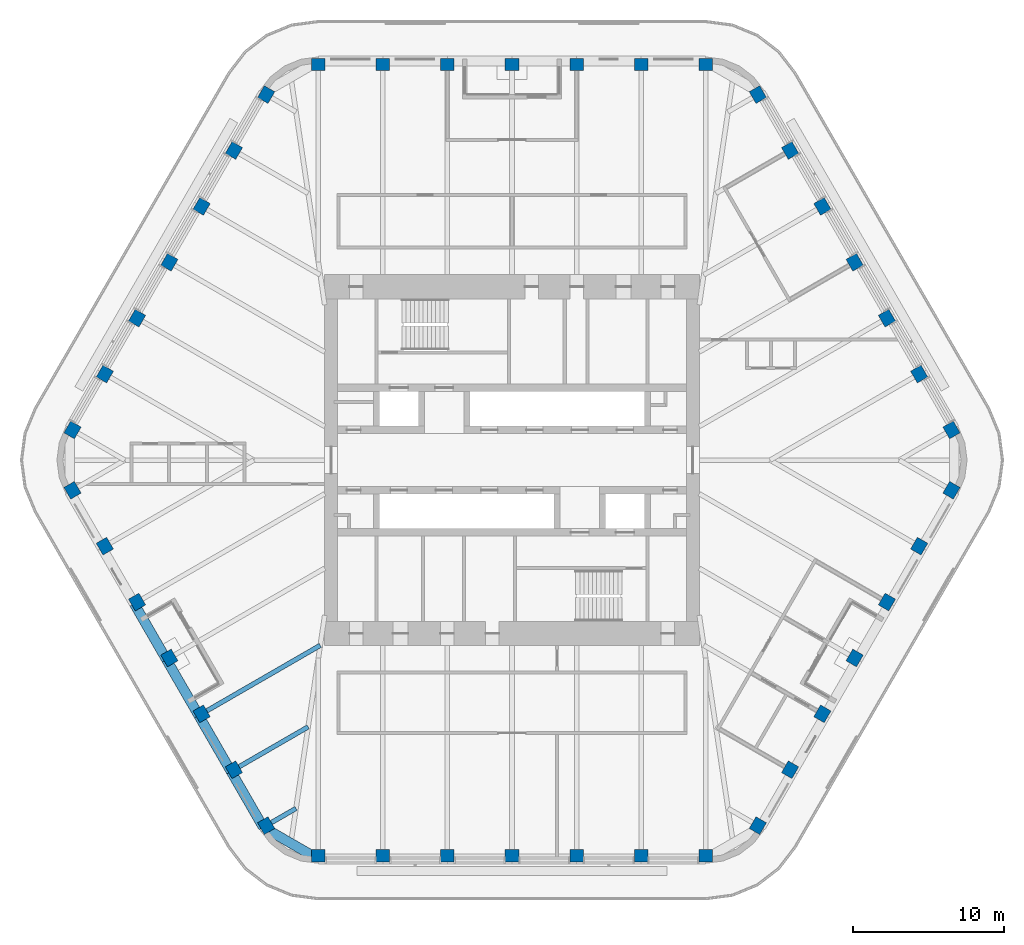
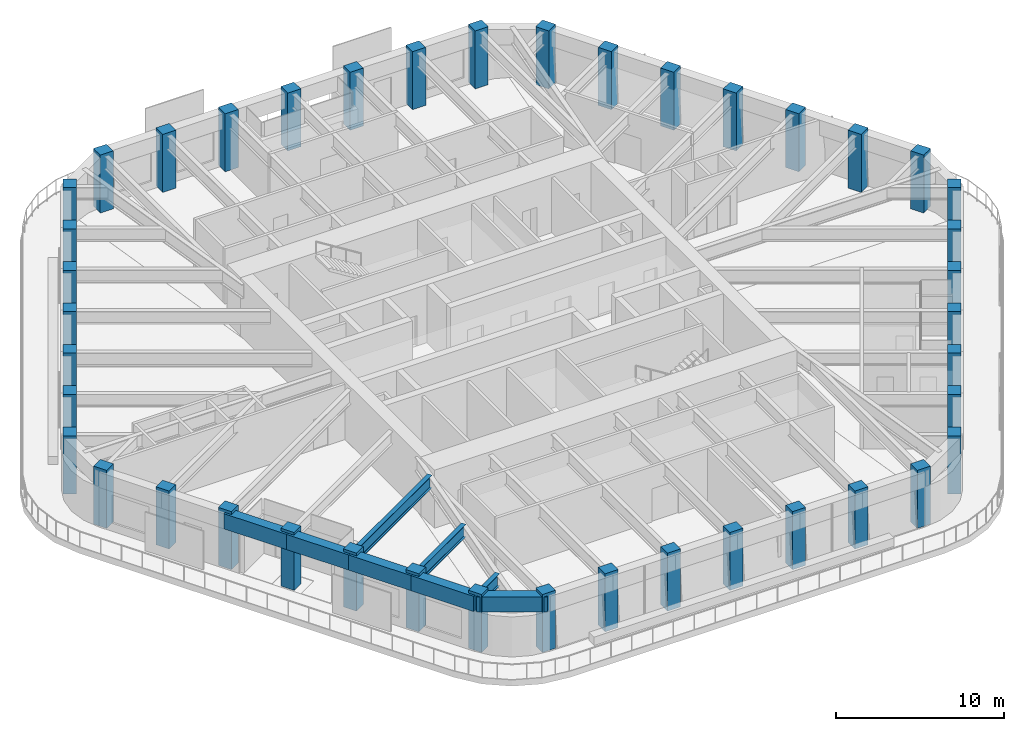
# One storey, part 1 of 19: 42 columns, 8 beams.
"""IFC4 building model written with IfcOpenShell, lengths in metres."""

from ifc_helpers import new_model, si_unit, direction, frame, origin, origin_2d, place, context, subcontext, project, spatial, rectangle, i_section, extrude, material, material_profile, profile_set, type_object, element, save


model = new_model("IFC4")

# Units and contexts
model_context = context("Model", 3, precision=1e-05, world=origin(), true_north=direction((0.0, 1.0)))
body_context = subcontext(model_context, "Body", "Model", "MODEL_VIEW")
ifc_project = project(units=[si_unit("LENGTHUNIT", "METRE"), si_unit("AREAUNIT", "SQUARE_METRE"), si_unit("VOLUMEUNIT", "CUBIC_METRE"), si_unit("PLANEANGLEUNIT", "RADIAN"), si_unit("MASSUNIT", "GRAM", prefix="KILO")], contexts=[model_context])

# Site, building, storey
site_placement = place(None, origin())
site = spatial("IfcSite", under=ifc_project, at=site_placement, CompositionType="ELEMENT")
building_placement = place(site_placement, origin())
building = spatial("IfcBuilding", under=site, at=building_placement, Name="Tarfa Lantern Tower", CompositionType="ELEMENT")
storey_placement = place(building_placement, frame((0.0, 0.0, 353.5)))
storey = spatial("IfcBuildingStorey", under=building, at=storey_placement, Name="L80", CompositionType="ELEMENT", Elevation=353.5)

# Columns
ifc_material_1 = material(Name="Concrete C80/95", Category="concrete")
ifc_material_profile_1 = material_profile(ifc_material_1, rectangle(XDim=0.89990234375, YDim=0.800048828125, at=origin_2d()), Name="RC 900x800")
ifc_profile_set_1 = profile_set([ifc_material_profile_1], Name="Concrete C80/95")
column_type = type_object("IfcColumnType", Name="TC15 RC 900x800", PredefinedType="COLUMN", material=ifc_profile_set_1)
for number, where, z_axis, x_axis, name in (
    (1, (29.15625, 2.0, 0.0), (0.0, 0.0, 1.0), (-0.5, 0.866025403784, 0.0), "Tube column NE0"),
    (2, (27.01513671875, 5.708251953125, 0.0), (0.0, 0.0, 1.0), (-0.5, 0.866025403784, 0.0), "Tube column NE1"),
    (3, (24.874267578125, 9.416748046875, 0.0), (0.0, 0.0, 1.0), (-0.5, 0.866025403784, 0.0), "Tube column NE2"),
    (4, (22.733154296875, 13.125, 0.0), (0.0, 0.0, 1.0), (-0.5, 0.866025403784, 0.0), "Tube column NE3"),
    (5, (20.592041015625, 16.833251953125, 0.0), (0.0, 0.0, 1.0), (-0.5, 0.866025403784, 0.0), "Tube column NE4"),
    (6, (18.451171875, 20.541748046875, 0.0), (0.0, 0.0, 1.0), (-0.5, 0.866025403784, 0.0), "Tube column NE5"),
    (7, (16.31005859375, 24.25, 0.0), (0.0, 0.0, 1.0), (-0.5, 0.866025403784, 0.0), "Tube column NE6"),
    (8, (12.845947265625, 26.25, 0.0), (0.0, 0.0, 1.0), (-1.0, 0.0, 0.0), "Tube column N0"),
    (9, (8.56396484375, 26.25, 0.0), (0.0, 0.0, 1.0), (-1.0, 0.0, 0.0), "Tube column N1"),
    (10, (4.281982421875, 26.25, 0.0), (0.0, 0.0, 1.0), (-1.0, 0.0, 0.0), "Tube column N2"),
    (11, (0.0, 26.25, 0.0), (0.0, 0.0, 1.0), (-1.0, 0.0, 0.0), "Tube column N3"),
    (12, (-4.281982421875, 26.25, 0.0), (0.0, 0.0, 1.0), (-1.0, 0.0, 0.0), "Tube column N4"),
    (13, (-8.56396484375, 26.25, 0.0), (0.0, 0.0, 1.0), (-1.0, 0.0, 0.0), "Tube column N5"),
    (14, (-12.845947265625, 26.25, 0.0), (0.0, 0.0, 1.0), (-1.0, 0.0, 0.0), "Tube column N6"),
    (15, (-16.31005859375, 24.25, 0.0), (0.0, 0.0, 1.0), (-0.5, -0.866025403784, 0.0), "Tube column NW0"),
    (16, (-18.451171875, 20.541748046875, 0.0), (0.0, 0.0, 1.0), (-0.5, -0.866025403784, 0.0), "Tube column NW1"),
    (17, (-20.592041015625, 16.833251953125, 0.0), (0.0, 0.0, 1.0), (-0.5, -0.866025403784, 0.0), "Tube column NW2"),
    (18, (-22.733154296875, 13.125, 0.0), (0.0, 0.0, 1.0), (-0.5, -0.866025403784, 0.0), "Tube column NW3"),
    (19, (-24.874267578125, 9.416748046875, 0.0), (0.0, 0.0, 1.0), (-0.5, -0.866025403784, 0.0), "Tube column NW4"),
    (20, (-27.01513671875, 5.708251953125, 0.0), (0.0, 0.0, 1.0), (-0.5, -0.866025403784, 0.0), "Tube column NW5"),
    (21, (-29.15625, 2.0, 0.0), (0.0, 0.0, 1.0), (-0.5, -0.866025403784, 0.0), "Tube column NW6"),
    (22, (-29.15625, -2.0, 0.0), (0.0, 0.0, 1.0), (0.5, -0.866025403784, 0.0), "Tube column SW0"),
    (23, (-27.01513671875, -5.708251953125, 0.0), (0.0, 0.0, 1.0), (0.5, -0.866025403784, 0.0), "Tube column SW1"),
    (24, (-24.874267578125, -9.416748046875, 0.0), (0.0, 0.0, 1.0), (0.5, -0.866025403784, 0.0), "Tube column SW2"),
    (25, (-22.733154296875, -13.125, 0.0), (0.0, 0.0, 1.0), (0.5, -0.866025403784, 0.0), "Tube column SW3"),
    (26, (-20.592041015625, -16.833251953125, 0.0), (0.0, 0.0, 1.0), (0.5, -0.866025403784, 0.0), "Tube column SW4"),
    (27, (-18.451171875, -20.541748046875, 0.0), (0.0, 0.0, 1.0), (0.5, -0.866025403784, 0.0), "Tube column SW5"),
    (28, (-16.31005859375, -24.25, 0.0), (0.0, 0.0, 1.0), (0.5, -0.866025403784, 0.0), "Tube column SW6"),
    (29, (-12.845947265625, -26.25, 0.0), (0.0, 0.0, 1.0), (1.0, 0.0, 0.0), "Tube column S0"),
    (30, (-8.56396484375, -26.25, 0.0), (0.0, 0.0, 1.0), (1.0, 0.0, 0.0), "Tube column S1"),
    (31, (-4.281982421875, -26.25, 0.0), (0.0, 0.0, 1.0), (1.0, 0.0, 0.0), "Tube column S2"),
    (32, (0.0, -26.25, 0.0), (0.0, 0.0, 1.0), (1.0, 0.0, 0.0), "Tube column S3"),
    (33, (4.281982421875, -26.25, 0.0), (0.0, 0.0, 1.0), (1.0, 0.0, 0.0), "Tube column S4"),
    (34, (8.56396484375, -26.25, 0.0), (0.0, 0.0, 1.0), (1.0, 0.0, 0.0), "Tube column S5"),
    (35, (12.845947265625, -26.25, 0.0), (0.0, 0.0, 1.0), (1.0, 0.0, 0.0), "Tube column S6"),
    (36, (16.31005859375, -24.25, 0.0), (0.0, 0.0, 1.0), (0.5, 0.866025403784, 0.0), "Tube column SE0"),
    (37, (18.451171875, -20.541748046875, 0.0), (0.0, 0.0, 1.0), (0.5, 0.866025403784, 0.0), "Tube column SE1"),
    (38, (20.592041015625, -16.833251953125, 0.0), (0.0, 0.0, 1.0), (0.5, 0.866025403784, 0.0), "Tube column SE2"),
    (39, (22.733154296875, -13.125, 0.0), (0.0, 0.0, 1.0), (0.5, 0.866025403784, 0.0), "Tube column SE3"),
    (40, (24.874267578125, -9.416748046875, 0.0), (0.0, 0.0, 1.0), (0.5, 0.866025403784, 0.0), "Tube column SE4"),
    (41, (27.01513671875, -5.708251953125, 0.0), (0.0, 0.0, 1.0), (0.5, 0.866025403784, 0.0), "Tube column SE5"),
    (42, (29.15625, -2.0, 0.0), (0.0, 0.0, 1.0), (0.5, 0.866025403784, 0.0), "Tube column SE6"),
):
    element("IfcColumn", number, at=place(storey_placement, frame(where, z_axis=z_axis, x_axis=x_axis)), inside=storey, type_object=column_type, Name=name, PredefinedType="COLUMN", context=body_context, shape_type="SweptSolid", body=[
        extrude(rectangle(XDim=0.89990234375, YDim=0.800048828125, at=origin_2d()), origin(), (0.0, 0.0, 1.0), 4.199951171875),
    ])

# Beams
ifc_material_profile_2 = material_profile(ifc_material_1, rectangle(XDim=0.64990234375, YDim=1.10009765625, at=origin_2d()), Name="RC 650x1100")
ifc_profile_set_2 = profile_set([ifc_material_profile_2], Name="Concrete C80/95")
beam_type_1 = type_object("IfcBeamType", Name="EB4 RC 650x1100", PredefinedType="SPANDREL", material=ifc_profile_set_2)
beam_1_placement = place(storey_placement, frame((-25.064697265625, -9.526611328125, 3.449951171875), z_axis=(0.500002112793, -0.866024183959, 0.0), x_axis=(0.866024183959, 0.500002112793, 0.0)))
element("IfcBeam", 43, at=beam_1_placement, inside=storey, type_object=beam_type_1, Name="Edge beam SW2", PredefinedType="SPANDREL", context=body_context, shape_type="SweptSolid", body=[
    extrude(rectangle(XDim=0.64990234375, YDim=1.10009765625, at=origin_2d()), origin(), (0.0, 0.0, 1.0), 4.2822265625),
])
for number, where, z_axis, x_axis, name in (
    (44, (-22.923583984375, -13.235107421875, 3.449951171875), (0.499984039138, -0.866034618596, 0.0), (0.866034618596, 0.499984039138, 0.0), "Edge beam SW3"),
    (45, (-20.78271484375, -16.943359375, 3.449951171875), (0.500026801138, -0.866009929587, 0.0), (0.866009929587, 0.500026801138, 0.0), "Edge beam SW4"),
    (46, (-18.6416015625, -20.651611328125, 3.449951171875), (0.499959351497, -0.866048870937, 0.0), (0.866048870937, 0.499959351497, 0.0), "Edge beam SW5"),
):
    element("IfcBeam", number, at=place(storey_placement, frame(where, z_axis=z_axis, x_axis=x_axis)), inside=storey, type_object=beam_type_1, Name=name, PredefinedType="SPANDREL", context=body_context, shape_type="SweptSolid", body=[
        extrude(rectangle(XDim=0.64990234375, YDim=1.10009765625, at=origin_2d()), origin(), (0.0, 0.0, 1.0), 4.281982421875),
    ])
beam_2_placement = place(storey_placement, frame((-16.500732421875, -24.360107421875, 3.449951171875), z_axis=(0.866048788483, -0.499959494327, 0.0), x_axis=(0.499959494327, 0.866048788483, 0.0)))
element("IfcBeam", 47, at=beam_2_placement, inside=storey, type_object=beam_type_1, Name="Edge beam SW6", PredefinedType="SPANDREL", context=body_context, shape_type="SweptSolid", body=[
    extrude(rectangle(XDim=0.64990234375, YDim=1.10009765625, at=origin_2d()), origin(), (0.0, 0.0, 1.0), 4.219970703125),
])
ifc_material_2 = material(Name="Steel S460M", Category="steel")
ifc_material_profile_3 = material_profile(ifc_material_2, i_section(OverallWidth=0.305419921875, OverallDepth=0.91845703125, WebThickness=0.017333984375, FlangeThickness=0.02783203125, FilletRadius=0.01904296875, at=origin_2d()), Name="UB914x305x253")
ifc_profile_set_3 = profile_set([ifc_material_profile_3], Name="Steel S460M")
beam_type_2 = type_object("IfcBeamType", Name="UB914x305x253", PredefinedType="BEAM", material=ifc_profile_set_3)
beam_3_placement = place(storey_placement, frame((-20.78271484375, -16.943359375, 3.540771484375), z_axis=(0.866021806508, 0.500006230613, 0.0), x_axis=(-0.500006230613, 0.866021806508, 0.0)))
element("IfcBeam", 48, at=beam_3_placement, inside=storey, type_object=beam_type_2, Name="Floor beam SW4", PredefinedType="BEAM", context=body_context, shape_type="SweptSolid", body=[
    extrude(i_section(OverallWidth=0.305419921875, OverallDepth=0.91845703125, WebThickness=0.017333984375, FlangeThickness=0.02783203125, FilletRadius=0.01904296875, at=origin_2d()), origin(), (0.0, 0.0, 1.0), 9.30908203125),
])
beam_4_placement = place(storey_placement, frame((-18.6416015625, -20.651611328125, 3.540771484375), z_axis=(0.866024549157, 0.500001480256, 0.0), x_axis=(-0.500001480256, 0.866024549157, 0.0)))
element("IfcBeam", 49, at=beam_4_placement, inside=storey, type_object=beam_type_2, Name="Floor beam SW5", PredefinedType="BEAM", context=body_context, shape_type="SweptSolid", body=[
    extrude(i_section(OverallWidth=0.305419921875, OverallDepth=0.91845703125, WebThickness=0.017333984375, FlangeThickness=0.02783203125, FilletRadius=0.01904296875, at=origin_2d()), origin(), (0.0, 0.0, 1.0), 5.90771484375),
])
beam_5_placement = place(storey_placement, frame((-16.500732421875, -24.360107421875, 3.540771484375), z_axis=(0.865992557167, 0.500056887695, 0.0), x_axis=(-0.500056887695, 0.865992557167, 0.0)))
element("IfcBeam", 50, at=beam_5_placement, inside=storey, type_object=beam_type_2, Name="Floor beam SW6", PredefinedType="BEAM", context=body_context, shape_type="SweptSolid", body=[
    extrude(i_section(OverallWidth=0.305419921875, OverallDepth=0.91845703125, WebThickness=0.017333984375, FlangeThickness=0.02783203125, FilletRadius=0.01904296875, at=origin_2d()), origin(), (0.0, 0.0, 1.0), 2.506591796875),
])

save(model, "model.ifc")
